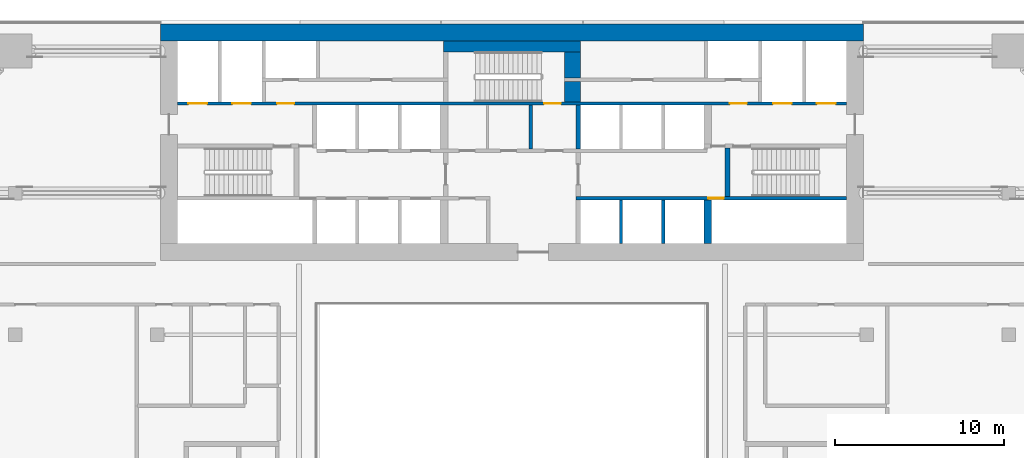
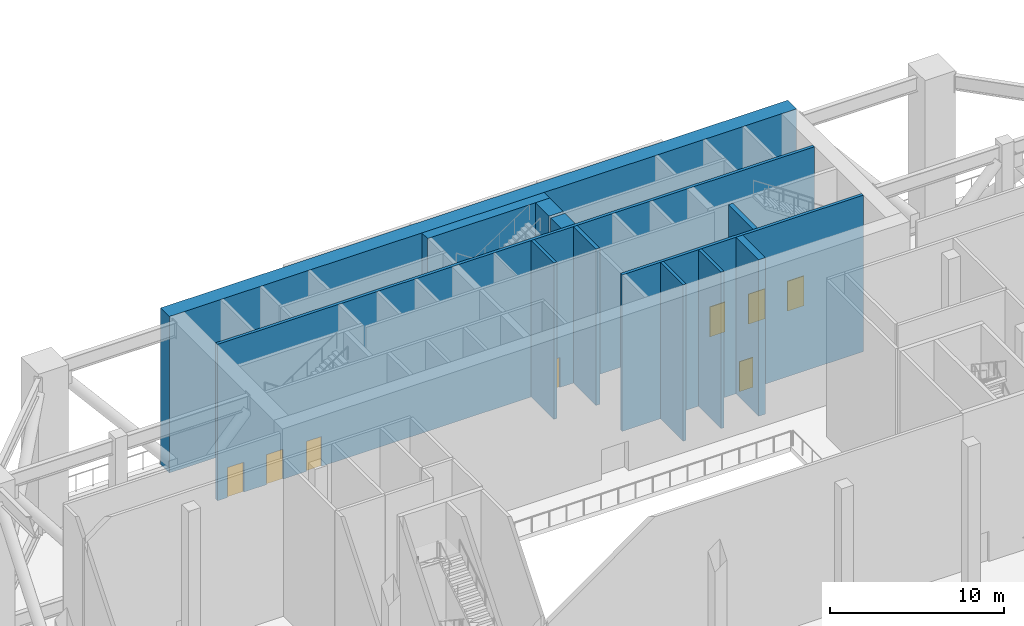
# One storey, part 6 of 19: 12 walls, 8 doors, 8 openings.
"""IFC4 building model written with IfcOpenShell, lengths in metres."""

from ifc_helpers import new_model, si_unit, direction, frame, frame_2d, origin, place, context, subcontext, project, spatial, rectangle, extrude, material, layer, layer_set, type_object, element, fill, save


model = new_model("IFC4")

# Units and contexts
model_context = context("Model", 3, precision=1e-05, world=origin(), true_north=direction((0.0, 1.0)))
body_context = subcontext(model_context, "Body", "Model", "MODEL_VIEW")
ifc_project = project(units=[si_unit("LENGTHUNIT", "METRE"), si_unit("AREAUNIT", "SQUARE_METRE"), si_unit("VOLUMEUNIT", "CUBIC_METRE"), si_unit("PLANEANGLEUNIT", "RADIAN"), si_unit("MASSUNIT", "GRAM", prefix="KILO")], contexts=[model_context])

# Site, building, storey
site_placement = place(None, origin())
site = spatial("IfcSite", under=ifc_project, at=site_placement, CompositionType="ELEMENT")
building_placement = place(site_placement, origin())
building = spatial("IfcBuilding", under=site, at=building_placement, Name="Saffron Gate Tower", CompositionType="ELEMENT")
storey_placement = place(building_placement, frame((0.0, 0.0, 84.0)))
storey = spatial("IfcBuildingStorey", under=building, at=storey_placement, Name="L20", CompositionType="ELEMENT", Elevation=84.0)

# Walls
ifc_material_1 = material(Name="Gypsum board partition on steel studs", Category="steel")
ifc_layer_1 = layer(ifc_material_1, 0.199951171875)
ifc_layer_set_1 = layer_set([ifc_layer_1], Name="CW10 Core partition 200")
wall_type_1 = type_object("IfcWallType", Name="CW10 Core partition 200", PredefinedType="PARTITIONING", material=ifc_layer_set_1)
wall_1_placement = place(storey_placement, frame((88.699951171875, 68.0, 0.0), z_axis=(0.0, 0.0, 1.0), x_axis=(0.0, 1.0, 0.0)))
element("IfcWall", 1, at=wall_1_placement, inside=storey, type_object=wall_type_1, Name="Wall CW10-L20-25", PredefinedType="PARTITIONING", context=body_context, shape_type="SweptSolid", body=[
    extrude(rectangle(XDim=2.60009765625, YDim=0.199951171875, at=frame_2d((1.300048828125, 0.0))), origin(), (0.0, 0.0, 1.0), 10.969970703125),
])
ifc_material_2 = material(Name="Concrete C70", Category="concrete")
ifc_layer_2 = layer(ifc_material_2, 1.0)
ifc_layer_set_2 = layer_set([ifc_layer_2], Name="CW12 RC core wall 1000 C70")
wall_type_2 = type_object("IfcWallType", Name="CW12 RC core wall 1000 C70", PredefinedType="SOLIDWALL", material=ifc_layer_set_2)
wall_2_placement = place(storey_placement, frame((66.800048828125, 74.89990234375, 0.0), z_axis=(0.0, 0.0, 1.0), x_axis=(1.0, 0.0, 0.0)))
element("IfcWall", 2, at=wall_2_placement, inside=storey, type_object=wall_type_2, Name="Wall CW12-L20-2", PredefinedType="SOLIDWALL", context=body_context, shape_type="SweptSolid", body=[
    extrude(rectangle(XDim=41.599853515625, YDim=1.0, at=frame_2d((20.7998046875, 0.0))), origin(), (0.0, 0.0, 1.0), 10.969970703125),
])
ifc_layer_3 = layer(ifc_material_2, 0.25)
ifc_layer_set_3 = layer_set([ifc_layer_3], Name="CW2 RC core wall 250 C70")
wall_type_3 = type_object("IfcWallType", Name="CW2 RC core wall 250 C70", PredefinedType="SOLIDWALL", material=ifc_layer_set_3)
wall_3_placement = place(storey_placement, frame((91.52490234375, 68.0, 0.0), z_axis=(0.0, 0.0, 1.0), x_axis=(0.0, 1.0, 0.0)))
element("IfcWall", 3, at=wall_3_placement, inside=storey, type_object=wall_type_3, Name="Wall CW2-L20-26", PredefinedType="SOLIDWALL", context=body_context, shape_type="SweptSolid", body=[
    extrude(rectangle(XDim=2.60009765625, YDim=0.25, at=frame_2d((1.300048828125, 0.0))), origin(), (0.0, 0.0, 1.0), 10.969970703125),
])
ifc_layer_4 = layer(ifc_material_2, 0.199951171875)
ifc_layer_set_4 = layer_set([ifc_layer_4], Name="CW3 RC core wall 200 C70")
wall_type_4 = type_object("IfcWallType", Name="CW3 RC core wall 200 C70", PredefinedType="SOLIDWALL", material=ifc_layer_set_4)
for number, where, z_axis, x_axis, name in (
    (4, (94.050048828125, 62.39990234375, 0.0), (0.0, 0.0, 1.0), (0.0, 1.0, 0.0), "Wall CW3-L20-11"),
    (5, (96.550048828125, 62.39990234375, 0.0), (0.0, 0.0, 1.0), (0.0, 1.0, 0.0), "Wall CW3-L20-12"),
):
    element("IfcWall", number, at=place(storey_placement, frame(where, z_axis=z_axis, x_axis=x_axis)), inside=storey, type_object=wall_type_4, Name=name, PredefinedType="SOLIDWALL", context=body_context, shape_type="SweptSolid", body=[
        extrude(rectangle(XDim=2.60009765625, YDim=0.199951171875, at=frame_2d((1.300048828125, 0.0))), origin(), (0.0, 0.0, 1.0), 10.969970703125),
    ])

# Wall, opening, door
wall_4_placement = place(storey_placement, frame((91.39990234375, 65.10009765625, 0.0), z_axis=(0.0, 0.0, 1.0), x_axis=(1.0, 0.0, 0.0)))
wall_4 = element("IfcWall", 6, at=wall_4_placement, inside=storey, type_object=wall_type_4, Name="Wall CW3-L20-15", PredefinedType="SOLIDWALL", context=body_context, shape_type="SweptSolid", body=[
    extrude(rectangle(XDim=16.0, YDim=0.199951171875, at=frame_2d((8.0, 0.0))), origin(), (0.0, 0.0, 1.0), 10.969970703125),
])
opening_1_placement = place(wall_4_placement, frame((7.830078125, 0.0, 0.0)))
opening_1 = element("IfcOpeningElement", 7, at=opening_1_placement, cuts=wall_4, Name="Opening CR-48", PredefinedType="OPENING", context=body_context, shape_type="SweptSolid", body=[
    extrude(rectangle(XDim=0.89990234375, YDim=2.10009765625, at=frame_2d((0.449951171875, 1.050048828125))), frame((0.0, 0.10986328125, 0.0), z_axis=(0.0, -1.0, 0.0), x_axis=(1.0, 0.0, 0.0)), (0.0, 0.0, 1.0), 0.219970703125),
])
ifc_material_3 = material(Name="Steel fire door set", Category="steel")
door_type_1 = type_object("IfcDoorType", Name="CD2 Riser door 900x2100 EI 60", OperationType="NOTDEFINED", PredefinedType="DOOR", material=ifc_material_3)
door_1_placement = place(opening_1_placement, origin())
door_1 = element("IfcDoor", 8, at=door_1_placement, inside=storey, type_object=door_type_1, Name="DOOR CR-48", OperationType="SINGLE_SWING_RIGHT", OverallHeight=2.10009765625, OverallWidth=0.89990234375, PredefinedType="DOOR", context=body_context, shape_type="SweptSolid", body=[
    extrude(rectangle(XDim=0.89990234375, YDim=2.10009765625, at=frame_2d((0.449951171875, 1.050048828125))), frame((0.0, 0.02490234375, 0.0), z_axis=(0.0, -1.0, 0.0), x_axis=(1.0, 0.0, 0.0)), (0.0, 0.0, 1.0), 0.050048828125),
])
fill(opening_1, door_1)

# Wall, openings, doors
wall_5_placement = place(storey_placement, frame((67.800048828125, 70.699951171875, 0.0), z_axis=(0.0, 0.0, 1.0), x_axis=(1.0, 0.0, 0.0)))
wall_5 = element("IfcWall", 9, at=wall_5_placement, inside=storey, type_object=wall_type_4, Name="Wall CW3-L20-34", PredefinedType="SOLIDWALL", context=body_context, shape_type="SweptSolid", body=[
    extrude(rectangle(XDim=39.599853515625, YDim=0.199951171875, at=frame_2d((19.7998046875, 0.0))), origin(), (0.0, 0.0, 1.0), 10.969970703125),
])
opening_2_placement = place(wall_5_placement, frame((0.64990234375, 0.0, 0.0)))
opening_2 = element("IfcOpeningElement", 10, at=opening_2_placement, cuts=wall_5, Name="Opening LD-FF1", PredefinedType="OPENING", context=body_context, shape_type="SweptSolid", body=[
    extrude(rectangle(XDim=1.10009765625, YDim=2.10009765625, at=frame_2d((0.550048828125, 1.050048828125))), frame((0.0, 0.10986328125, 0.0), z_axis=(0.0, -1.0, 0.0), x_axis=(1.0, 0.0, 0.0)), (0.0, 0.0, 1.0), 0.219970703125),
])
opening_3_placement = place(wall_5_placement, frame((3.25, 0.0, 0.0)))
opening_3 = element("IfcOpeningElement", 11, at=opening_3_placement, cuts=wall_5, Name="Opening LD-SV1", PredefinedType="OPENING", context=body_context, shape_type="SweptSolid", body=[
    extrude(rectangle(XDim=1.10009765625, YDim=2.10009765625, at=frame_2d((0.550048828125, 1.050048828125))), frame((0.0, 0.10986328125, 0.0), z_axis=(0.0, -1.0, 0.0), x_axis=(1.0, 0.0, 0.0)), (0.0, 0.0, 1.0), 0.219970703125),
])
opening_4_placement = place(wall_5_placement, frame((5.89990234375, 0.0, 0.0)))
opening_4 = element("IfcOpeningElement", 12, at=opening_4_placement, cuts=wall_5, Name="Opening CR-03", PredefinedType="OPENING", context=body_context, shape_type="SweptSolid", body=[
    extrude(rectangle(XDim=1.0, YDim=2.10009765625, at=frame_2d((0.5, 1.050048828125))), frame((0.0, 0.10986328125, 0.0), z_axis=(0.0, -1.0, 0.0), x_axis=(1.0, 0.0, 0.0)), (0.0, 0.0, 1.0), 0.219970703125),
])
opening_5_placement = place(wall_5_placement, frame((21.699951171875, 0.0, 0.0)))
opening_5 = element("IfcOpeningElement", 13, at=opening_5_placement, cuts=wall_5, Name="Opening CR-17", PredefinedType="OPENING", context=body_context, shape_type="SweptSolid", body=[
    extrude(rectangle(XDim=1.0, YDim=2.10009765625, at=frame_2d((0.5, 1.050048828125))), frame((0.0, 0.10986328125, 0.0), z_axis=(0.0, -1.0, 0.0), x_axis=(1.0, 0.0, 0.0)), (0.0, 0.0, 1.0), 0.219970703125),
])
opening_6_placement = place(wall_5_placement, frame((32.699951171875, 0.0, 0.0)))
opening_6 = element("IfcOpeningElement", 14, at=opening_6_placement, cuts=wall_5, Name="Opening CR-04", PredefinedType="OPENING", context=body_context, shape_type="SweptSolid", body=[
    extrude(rectangle(XDim=1.0, YDim=2.10009765625, at=frame_2d((0.5, 1.050048828125))), frame((0.0, 0.10986328125, 0.0), z_axis=(0.0, -1.0, 0.0), x_axis=(1.0, 0.0, 0.0)), (0.0, 0.0, 1.0), 0.219970703125),
])
opening_7_placement = place(wall_5_placement, frame((35.25, 0.0, 0.0)))
opening_7 = element("IfcOpeningElement", 15, at=opening_7_placement, cuts=wall_5, Name="Opening LD-SV2", PredefinedType="OPENING", context=body_context, shape_type="SweptSolid", body=[
    extrude(rectangle(XDim=1.10009765625, YDim=2.10009765625, at=frame_2d((0.550048828125, 1.050048828125))), frame((0.0, 0.10986328125, 0.0), z_axis=(0.0, -1.0, 0.0), x_axis=(1.0, 0.0, 0.0)), (0.0, 0.0, 1.0), 0.219970703125),
])
opening_8_placement = place(wall_5_placement, frame((37.85009765625, 0.0, 0.0)))
opening_8 = element("IfcOpeningElement", 16, at=opening_8_placement, cuts=wall_5, Name="Opening LD-FF2", PredefinedType="OPENING", context=body_context, shape_type="SweptSolid", body=[
    extrude(rectangle(XDim=1.10009765625, YDim=2.10009765625, at=frame_2d((0.550048828125, 1.050048828125))), frame((0.0, 0.10986328125, 0.0), z_axis=(0.0, -1.0, 0.0), x_axis=(1.0, 0.0, 0.0)), (0.0, 0.0, 1.0), 0.219970703125),
])
door_type_2 = type_object("IfcDoorType", Name="CD4 Lobby door 1000x2100 EI 120", OperationType="NOTDEFINED", PredefinedType="DOOR", material=ifc_material_3)
door_2_placement = place(opening_4_placement, origin())
door_2 = element("IfcDoor", 17, at=door_2_placement, inside=storey, type_object=door_type_2, Name="DOOR CR-03", OperationType="SINGLE_SWING_LEFT", OverallHeight=2.10009765625, OverallWidth=1.0, PredefinedType="DOOR", context=body_context, shape_type="SweptSolid", body=[
    extrude(rectangle(XDim=1.0, YDim=2.10009765625, at=frame_2d((0.5, 1.050048828125))), frame((0.0, 0.02490234375, 0.0), z_axis=(0.0, -1.0, 0.0), x_axis=(1.0, 0.0, 0.0)), (0.0, 0.0, 1.0), 0.050048828125),
])
fill(opening_4, door_2)
door_3_placement = place(opening_6_placement, origin())
door_3 = element("IfcDoor", 18, at=door_3_placement, inside=storey, type_object=door_type_2, Name="DOOR CR-04", OperationType="SINGLE_SWING_RIGHT", OverallHeight=2.10009765625, OverallWidth=1.0, PredefinedType="DOOR", context=body_context, shape_type="SweptSolid", body=[
    extrude(rectangle(XDim=1.0, YDim=2.10009765625, at=frame_2d((0.5, 1.050048828125))), frame((0.0, 0.02490234375, 0.0), z_axis=(0.0, -1.0, 0.0), x_axis=(1.0, 0.0, 0.0)), (0.0, 0.0, 1.0), 0.050048828125),
])
fill(opening_6, door_3)
door_type_3 = type_object("IfcDoorType", Name="CD5 Stair door 1000x2100 EI 120", OperationType="NOTDEFINED", PredefinedType="DOOR", material=ifc_material_3)
door_4_placement = place(opening_5_placement, origin())
door_4 = element("IfcDoor", 19, at=door_4_placement, inside=storey, type_object=door_type_3, Name="DOOR CR-17", OperationType="SINGLE_SWING_RIGHT", OverallHeight=2.10009765625, OverallWidth=1.0, PredefinedType="DOOR", context=body_context, shape_type="SweptSolid", body=[
    extrude(rectangle(XDim=1.0, YDim=2.10009765625, at=frame_2d((0.5, 1.050048828125))), frame((0.0, 0.02490234375, 0.0), z_axis=(0.0, -1.0, 0.0), x_axis=(1.0, 0.0, 0.0)), (0.0, 0.0, 1.0), 0.050048828125),
])
fill(opening_5, door_4)
ifc_material_4 = material(Name="Stainless steel landing door", Category="steel")
door_type_4 = type_object("IfcDoorType", Name="LD Lift landing door 1100x2100 EI 120", OperationType="SLIDING_TO_LEFT", PredefinedType="DOOR", material=ifc_material_4)
door_5_placement = place(opening_2_placement, origin())
door_5 = element("IfcDoor", 20, at=door_5_placement, inside=storey, type_object=door_type_4, Name="LANDING DOOR LD-FF1", OperationType="SLIDING_TO_RIGHT", OverallHeight=2.10009765625, OverallWidth=1.10009765625, PredefinedType="DOOR", context=body_context, shape_type="SweptSolid", body=[
    extrude(rectangle(XDim=1.10009765625, YDim=2.10009765625, at=frame_2d((0.550048828125, 1.050048828125))), frame((0.0, 0.02490234375, 0.0), z_axis=(0.0, -1.0, 0.0), x_axis=(1.0, 0.0, 0.0)), (0.0, 0.0, 1.0), 0.050048828125),
])
fill(opening_2, door_5)
door_6_placement = place(opening_3_placement, origin())
door_6 = element("IfcDoor", 21, at=door_6_placement, inside=storey, type_object=door_type_4, Name="LANDING DOOR LD-SV1", OperationType="SLIDING_TO_RIGHT", OverallHeight=2.10009765625, OverallWidth=1.10009765625, PredefinedType="DOOR", context=body_context, shape_type="SweptSolid", body=[
    extrude(rectangle(XDim=1.10009765625, YDim=2.10009765625, at=frame_2d((0.550048828125, 1.050048828125))), frame((0.0, 0.02490234375, 0.0), z_axis=(0.0, -1.0, 0.0), x_axis=(1.0, 0.0, 0.0)), (0.0, 0.0, 1.0), 0.050048828125),
])
fill(opening_3, door_6)
door_7_placement = place(opening_7_placement, origin())
door_7 = element("IfcDoor", 22, at=door_7_placement, inside=storey, type_object=door_type_4, Name="LANDING DOOR LD-SV2", OperationType="SLIDING_TO_RIGHT", OverallHeight=2.10009765625, OverallWidth=1.10009765625, PredefinedType="DOOR", context=body_context, shape_type="SweptSolid", body=[
    extrude(rectangle(XDim=1.10009765625, YDim=2.10009765625, at=frame_2d((0.550048828125, 1.050048828125))), frame((0.0, 0.02490234375, 0.0), z_axis=(0.0, -1.0, 0.0), x_axis=(1.0, 0.0, 0.0)), (0.0, 0.0, 1.0), 0.050048828125),
])
fill(opening_7, door_7)
door_8_placement = place(opening_8_placement, origin())
door_8 = element("IfcDoor", 23, at=door_8_placement, inside=storey, type_object=door_type_4, Name="LANDING DOOR LD-FF2", OperationType="SLIDING_TO_RIGHT", OverallHeight=2.10009765625, OverallWidth=1.10009765625, PredefinedType="DOOR", context=body_context, shape_type="SweptSolid", body=[
    extrude(rectangle(XDim=1.10009765625, YDim=2.10009765625, at=frame_2d((0.550048828125, 1.050048828125))), frame((0.0, 0.02490234375, 0.0), z_axis=(0.0, -1.0, 0.0), x_axis=(1.0, 0.0, 0.0)), (0.0, 0.0, 1.0), 0.050048828125),
])
fill(opening_8, door_8)

# Walls
ifc_layer_5 = layer(ifc_material_2, 0.449951171875)
ifc_layer_set_5 = layer_set([ifc_layer_5], Name="CW4 RC core wall 450 C70")
wall_type_5 = type_object("IfcWallType", Name="CW4 RC core wall 450 C70", PredefinedType="SOLIDWALL", material=ifc_layer_set_5)
wall_6_placement = place(storey_placement, frame((99.175048828125, 62.39990234375, 0.0), z_axis=(0.0, 0.0, 1.0), x_axis=(0.0, 1.0, 0.0)))
element("IfcWall", 24, at=wall_6_placement, inside=storey, type_object=wall_type_5, Name="Wall CW4-L20-13", PredefinedType="SOLIDWALL", context=body_context, shape_type="SweptSolid", body=[
    extrude(rectangle(XDim=2.60009765625, YDim=0.449951171875, at=frame_2d((1.300048828125, 0.0))), origin(), (0.0, 0.0, 1.0), 10.969970703125),
])
ifc_layer_6 = layer(ifc_material_2, 0.300048828125)
ifc_layer_set_6 = layer_set([ifc_layer_6], Name="CW5 RC core wall 300 C70")
wall_type_6 = type_object("IfcWallType", Name="CW5 RC core wall 300 C70", PredefinedType="SOLIDWALL", material=ifc_layer_set_6)
wall_7_placement = place(storey_placement, frame((100.35009765625, 65.199951171875, 0.0), z_axis=(0.0, 0.0, 1.0), x_axis=(0.0, 1.0, 0.0)))
element("IfcWall", 25, at=wall_7_placement, inside=storey, type_object=wall_type_6, Name="Wall CW5-L20-19", PredefinedType="SOLIDWALL", context=body_context, shape_type="SweptSolid", body=[
    extrude(rectangle(XDim=2.85009765625, YDim=0.300048828125, at=frame_2d((1.425048828125, 0.0))), origin(), (0.0, 0.0, 1.0), 10.969970703125),
])
ifc_layer_7 = layer(ifc_material_2, 0.949951171875)
ifc_layer_set_7 = layer_set([ifc_layer_7], Name="CW7 RC core wall 950 C70")
wall_type_7 = type_object("IfcWallType", Name="CW7 RC core wall 950 C70", PredefinedType="SOLIDWALL", material=ifc_layer_set_7)
wall_8_placement = place(storey_placement, frame((91.175048828125, 70.800048828125, 0.0), z_axis=(0.0, 0.0, 1.0), x_axis=(0.0, 1.0, 0.0)))
element("IfcWall", 26, at=wall_8_placement, inside=storey, type_object=wall_type_7, Name="Wall CW7-L20-38", PredefinedType="SOLIDWALL", context=body_context, shape_type="SweptSolid", body=[
    extrude(rectangle(XDim=1.199951171875, YDim=0.949951171875, at=frame_2d((0.60009765625, 0.0))), origin(), (0.0, 0.0, 1.0), 10.969970703125),
])
wall_9_placement = place(storey_placement, frame((91.175048828125, 72.199951171875, 0.0), z_axis=(0.0, 0.0, 1.0), x_axis=(0.0, 1.0, 0.0)))
element("IfcWall", 27, at=wall_9_placement, inside=storey, type_object=wall_type_7, Name="Wall CW7-L20-46", PredefinedType="SOLIDWALL", context=body_context, shape_type="SweptSolid", body=[
    extrude(rectangle(XDim=1.550048828125, YDim=0.949951171875, at=frame_2d((0.77490234375, 0.0))), origin(), (0.0, 0.0, 1.0), 10.969970703125),
])
ifc_layer_8 = layer(ifc_material_2, 0.64990234375)
ifc_layer_set_8 = layer_set([ifc_layer_8], Name="CW9 RC core wall 650 C70")
wall_type_8 = type_object("IfcWallType", Name="CW9 RC core wall 650 C70", PredefinedType="SOLIDWALL", material=ifc_layer_set_8)
wall_10_placement = place(storey_placement, frame((83.550048828125, 74.074951171875, 0.0), z_axis=(0.0, 0.0, 1.0), x_axis=(1.0, 0.0, 0.0)))
element("IfcWall", 28, at=wall_10_placement, inside=storey, type_object=wall_type_8, Name="Wall CW9-L20-49", PredefinedType="SOLIDWALL", context=body_context, shape_type="SweptSolid", body=[
    extrude(rectangle(XDim=8.099853515625, YDim=0.64990234375, at=frame_2d((4.0498046875, 0.0))), origin(), (0.0, 0.0, 1.0), 10.969970703125),
])

save(model, "model.ifc")
